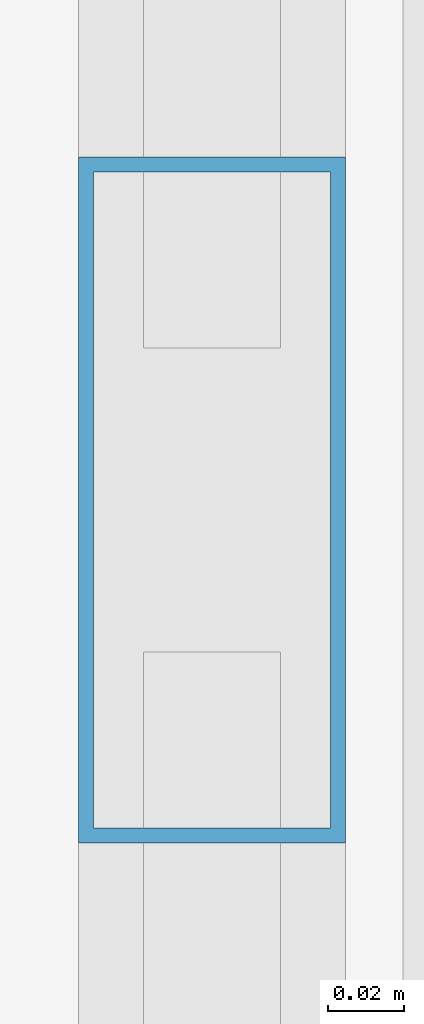
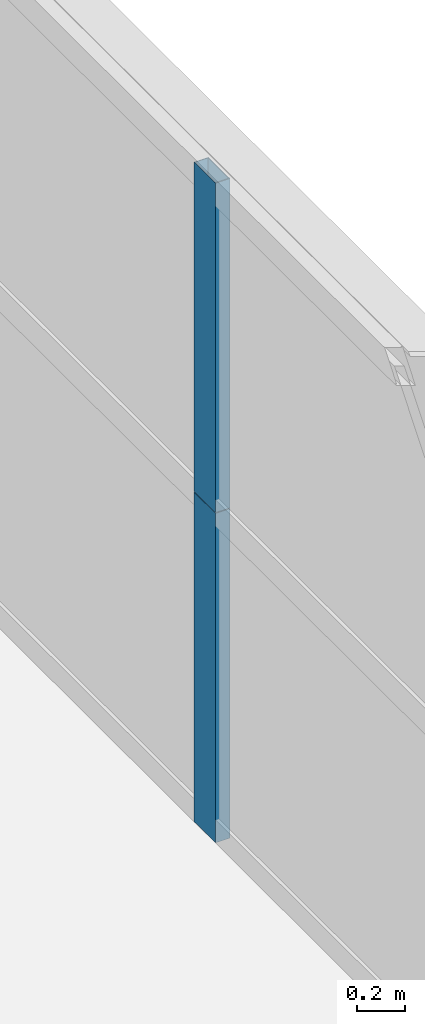
# One storey, part 19 of 43: 2 members, 1 element without a shape of its own.
"""IFC4 building model written with IfcOpenShell, lengths in metres."""

from ifc_helpers import new_model, si_unit, direction, frame, origin, origin_2d, place, context, subcontext, project, spatial, hollow_rectangle, extrude, source, transform, mapped, material, layer, layer_set, material_profile, profile_set, type_object, element, aggregate, save


model = new_model("IFC4")

# Units and contexts
model_context = context("Model", 3, precision=1e-05, world=origin(), true_north=direction((0.0, 1.0)))
body_context = subcontext(model_context, "Body", "Model", "MODEL_VIEW")
ifc_project = project(units=[si_unit("LENGTHUNIT", "METRE"), si_unit("AREAUNIT", "SQUARE_METRE"), si_unit("VOLUMEUNIT", "CUBIC_METRE"), si_unit("PLANEANGLEUNIT", "RADIAN"), si_unit("MASSUNIT", "GRAM", prefix="KILO"), si_unit("THERMODYNAMICTEMPERATUREUNIT", "KELVIN"), si_unit("POWERUNIT", "WATT")], contexts=[model_context])

# Site, building, storey
site_placement = place(None, origin())
site = spatial("IfcSite", under=ifc_project, at=site_placement, CompositionType="ELEMENT")
building_placement = place(site_placement, origin())
building = spatial("IfcBuilding", under=site, at=building_placement, Name="Yuzanri Waterfront Tower", CompositionType="ELEMENT")
storey_placement = place(building_placement, frame((0.0, 0.0, 64.0)))
storey = spatial("IfcBuildingStorey", under=building, at=storey_placement, Name="L16", CompositionType="ELEMENT", Elevation=64.0)

# Curtain wall, members
ifc_material_1 = material(Name="Anodized Architectural Bronze", Category="metal")
ifc_layer = layer(ifc_material_1, 0.159912109375)
ifc_layer_set = layer_set([ifc_layer], Name="Anodized Architectural Bronze")
curtain_wall_type = type_object("IfcCurtainWallType", Name="Anodized Bronze Hotel Lower-Tier Recessed Unitized Curtain Wall 8100", PredefinedType="NOTDEFINED", material=ifc_layer_set)
curtain_wall_placement = place(storey_placement, origin())
curtain_wall = element("IfcCurtainWall", 1, at=curtain_wall_placement, inside=storey, type_object=curtain_wall_type, Name="L16 Curtain Wall CW-L16-EL", PredefinedType="NOTDEFINED")
ifc_material_2 = material(Name="Anodized Architectural Bronze", Category="metal")
ifc_material_profile = material_profile(ifc_material_2, hollow_rectangle(XDim=0.070068359375, YDim=0.179931640625, WallThickness=0.00390625, at=origin_2d()), Name="CWM 70x180")
ifc_profile_set = profile_set([ifc_material_profile], Name="Anodized Architectural Bronze")
member_type = type_object("IfcMemberType", Name="Anodized Bronze Standard Curtain-Wall Mullion 70x180", PredefinedType="MULLION", material=ifc_profile_set)
shared_shape = source(origin(), body_context, "Body", "SweptSolid", [
    extrude(hollow_rectangle(XDim=0.070068359375, YDim=0.179931640625, WallThickness=0.00390625, at=origin_2d()), origin(), (0.0, 0.0, 1.0), 1.68798828125),
])
member_1_placement = place(storey_placement, frame((61.949951171875, 16.699951171875, 0.0), z_axis=(0.0, 0.0, 1.0), x_axis=(1.0, 0.0, 0.0)))
member_1 = element("IfcMember", 2, at=member_1_placement, type_object=member_type, Name="CW-L16-EL Lower Mullion 01", PredefinedType="MULLION", context=body_context, shape_type="MappedRepresentation", body=[
    mapped(shared_shape, transform((0.0, 0.0, 0.0), scale=1.0)),
])
member_2_placement = place(storey_placement, frame((61.949951171875, 16.699951171875, 1.69189453125), z_axis=(0.0, 0.0, 1.0), x_axis=(1.0, 0.0, 0.0)))
member_2 = element("IfcMember", 3, at=member_2_placement, type_object=member_type, Name="CW-L16-EL Upper Mullion 01", PredefinedType="MULLION", context=body_context, shape_type="MappedRepresentation", body=[
    mapped(shared_shape, transform((0.0, 0.0, 0.0), scale=1.0)),
])
aggregate(curtain_wall, [member_1, member_2])

save(model, "model.ifc")
